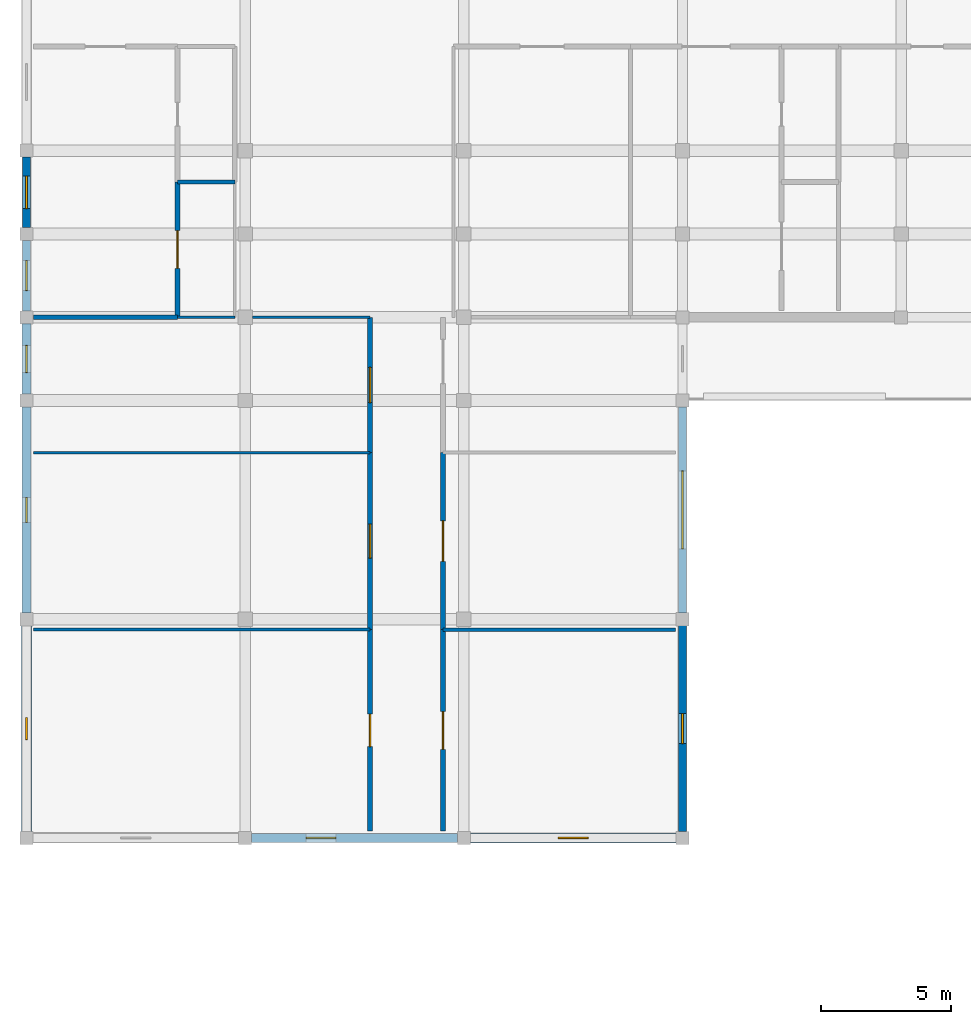
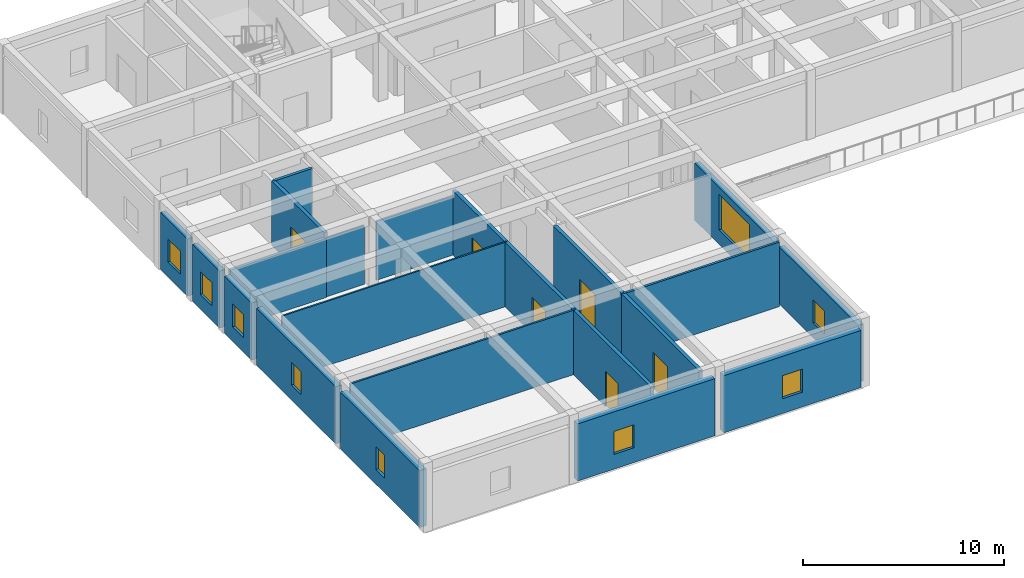
# One storey, part 8 of 28: 22 walls, 9 windows, 6 doors, 15 openings.
"""IFC4 building model written with IfcOpenShell, lengths in metres."""

from ifc_helpers import new_model, si_unit, direction, frame, frame_2d, origin, place, context, subcontext, project, spatial, rectangle, extrude, material, layer, layer_set, type_object, element, fill, save


model = new_model("IFC4")

# Units and contexts
model_context = context("Model", 3, precision=1e-05, world=origin(), true_north=direction((0.0, 1.0)))
body_context = subcontext(model_context, "Body", "Model", "MODEL_VIEW")
ifc_project = project(units=[si_unit("LENGTHUNIT", "METRE"), si_unit("AREAUNIT", "SQUARE_METRE"), si_unit("VOLUMEUNIT", "CUBIC_METRE"), si_unit("PLANEANGLEUNIT", "RADIAN"), si_unit("MASSUNIT", "GRAM", prefix="KILO")], contexts=[model_context])

# Site, building, storey
site_placement = place(None, origin())
site = spatial("IfcSite", under=ifc_project, at=site_placement, CompositionType="ELEMENT")
building_placement = place(site_placement, origin())
building = spatial("IfcBuilding", under=site, at=building_placement, Name="Varncliffe General Hospital", CompositionType="ELEMENT")
storey_placement = place(building_placement, frame((0.0, 0.0, 24.60009765625)))
storey = spatial("IfcBuildingStorey", under=building, at=storey_placement, Name="L05", CompositionType="ELEMENT", Elevation=24.60009765625)

# Wall, opening, window
ifc_material_1 = material(Name="Precast concrete C40/50 with insulated cream lime-cement stucco", Category="concrete")
ifc_layer_1 = layer(ifc_material_1, 0.31005859375)
ifc_layer_set_1 = layer_set([ifc_layer_1], Name="Precast concrete C40/50 with insulated cream lime-cement stucco")
wall_type_1 = type_object("IfcWallType", Name="Exterior Insulated Stucco Wall EW20 (310mm)", PredefinedType="SOLIDWALL", material=ifc_layer_set_1)
wall_1_placement = place(storey_placement, frame((25.199951171875, 99.35205078125, 0.0), z_axis=(0.0, 0.0, 1.0), x_axis=(0.0, -1.0, 0.0)))
wall_1 = element("IfcWall", 1, at=wall_1_placement, inside=storey, type_object=wall_type_1, Name="L05 Exterior Stucco Wall EW20-408", PredefinedType="SOLIDWALL", context=body_context, shape_type="SweptSolid", body=[
    extrude(rectangle(XDim=7.904052734375, YDim=0.31005859375, at=frame_2d((3.9521484375, 0.0))), origin(), (0.0, 0.0, 1.0), 3.47998046875),
])
opening_1_placement = place(wall_1_placement, frame((2.451904296875, 0.0, 0.89990234375)))
opening_1 = element("IfcOpeningElement", 2, at=opening_1_placement, cuts=wall_1, Name="Opening WN37", PredefinedType="OPENING", context=body_context, shape_type="SweptSolid", body=[
    extrude(rectangle(XDim=3.0, YDim=2.14990234375, at=frame_2d((1.5, 1.074951171875))), frame((0.0, 0.1650390625, 0.0), z_axis=(0.0, -1.0, 0.0), x_axis=(1.0, 0.0, 0.0)), (0.0, 0.0, 1.0), 0.330078125),
])
ifc_material_2 = material(Name="Triple low-E argon insulated vision glazing", Category="glass")
window_type_1 = type_object("IfcWindowType", Name="Triple-Glazed Hospital Window WN37 (3000x2150)", PartitioningType="DOUBLE_PANEL_VERTICAL", PredefinedType="WINDOW", material=ifc_material_2)
window_1_placement = place(opening_1_placement, origin())
window_1 = element("IfcWindow", 3, at=window_1_placement, inside=storey, type_object=window_type_1, Name="L05 Hospital Window WN37-304", OverallHeight=2.14990234375, OverallWidth=3.0, PartitioningType="DOUBLE_PANEL_VERTICAL", PredefinedType="WINDOW", context=body_context, shape_type="SweptSolid", body=[
    extrude(rectangle(XDim=3.0, YDim=2.14990234375, at=frame_2d((1.5, 1.074951171875))), frame((0.0, 0.030029296875, 0.0), z_axis=(0.0, -1.0, 0.0), x_axis=(1.0, 0.0, 0.0)), (0.0, 0.0, 1.0), 0.06005859375),
])
fill(opening_1, window_1)

wall_2_placement = place(storey_placement, frame((0.0, 103.048095703125, 0.0), z_axis=(0.0, 0.0, 1.0), x_axis=(0.0, 1.0, 0.0)))
wall_2 = element("IfcWall", 4, at=wall_2_placement, inside=storey, type_object=wall_type_1, Name="L05 Exterior Stucco Wall EW20-416", PredefinedType="SOLIDWALL", context=body_context, shape_type="SweptSolid", body=[
    extrude(rectangle(XDim=2.703857421875, YDim=0.31005859375, at=frame_2d((1.35205078125, 0.0))), origin(), (0.0, 0.0, 1.0), 3.47998046875),
])
opening_2_placement = place(wall_2_placement, frame((0.777099609375, 0.0, 0.89990234375)))
opening_2 = element("IfcOpeningElement", 5, at=opening_2_placement, cuts=wall_2, Name="Opening WN62", PredefinedType="OPENING", context=body_context, shape_type="SweptSolid", body=[
    extrude(rectangle(XDim=1.14990234375, YDim=1.39990234375, at=frame_2d((0.574951171875, 0.699951171875))), frame((0.0, 0.1650390625, 0.0), z_axis=(0.0, -1.0, 0.0), x_axis=(1.0, 0.0, 0.0)), (0.0, 0.0, 1.0), 0.330078125),
])
window_type_2 = type_object("IfcWindowType", Name="Triple-Glazed Hospital Window WN62 (1150x1400)", PartitioningType="SINGLE_PANEL", PredefinedType="WINDOW", material=ifc_material_2)
window_2_placement = place(opening_2_placement, origin())
window_2 = element("IfcWindow", 6, at=window_2_placement, inside=storey, type_object=window_type_2, Name="L05 Hospital Window WN62-312", OverallHeight=1.39990234375, OverallWidth=1.14990234375, PartitioningType="SINGLE_PANEL", PredefinedType="WINDOW", context=body_context, shape_type="SweptSolid", body=[
    extrude(rectangle(XDim=1.14990234375, YDim=1.39990234375, at=frame_2d((0.574951171875, 0.699951171875))), frame((0.0, 0.030029296875, 0.0), z_axis=(0.0, -1.0, 0.0), x_axis=(1.0, 0.0, 0.0)), (0.0, 0.0, 1.0), 0.06005859375),
])
fill(opening_2, window_2)

ifc_layer_2 = layer(ifc_material_1, 0.3798828125)
ifc_layer_set_2 = layer_set([ifc_layer_2], Name="Precast concrete C40/50 with insulated cream lime-cement stucco")
wall_type_2 = type_object("IfcWallType", Name="Exterior Insulated Stucco Wall EW26 (380mm)", PredefinedType="SOLIDWALL", material=ifc_layer_set_2)
wall_3_placement = place(storey_placement, frame((24.951904296875, 82.800048828125, 0.0), z_axis=(0.0, 0.0, 1.0), x_axis=(-1.0, 0.0, 0.0)))
wall_3 = element("IfcWall", 7, at=wall_3_placement, inside=storey, type_object=wall_type_2, Name="L05 Exterior Stucco Wall EW26-410", PredefinedType="SOLIDWALL", context=body_context, shape_type="SweptSolid", body=[
    extrude(rectangle(XDim=7.90380859375, YDim=0.3798828125, at=frame_2d((3.951904296875, 0.0))), origin(), (0.0, 0.0, 1.0), 3.47998046875),
])
opening_3_placement = place(wall_3_placement, frame((3.376953125, 0.0, 0.89990234375)))
opening_3 = element("IfcOpeningElement", 8, at=opening_3_placement, cuts=wall_3, Name="Opening WN62", PredefinedType="OPENING", context=body_context, shape_type="SweptSolid", body=[
    extrude(rectangle(XDim=1.14990234375, YDim=1.39990234375, at=frame_2d((0.574951171875, 0.699951171875))), frame((0.0, 0.199951171875, 0.0), z_axis=(0.0, -1.0, 0.0), x_axis=(1.0, 0.0, 0.0)), (0.0, 0.0, 1.0), 0.39990234375),
])
window_3_placement = place(opening_3_placement, origin())
window_3 = element("IfcWindow", 9, at=window_3_placement, inside=storey, type_object=window_type_2, Name="L05 Hospital Window WN62-306", OverallHeight=1.39990234375, OverallWidth=1.14990234375, PartitioningType="SINGLE_PANEL", PredefinedType="WINDOW", context=body_context, shape_type="SweptSolid", body=[
    extrude(rectangle(XDim=1.14990234375, YDim=1.39990234375, at=frame_2d((0.574951171875, 0.699951171875))), frame((0.0, 0.030029296875, 0.0), z_axis=(0.0, -1.0, 0.0), x_axis=(1.0, 0.0, 0.0)), (0.0, 0.0, 1.0), 0.06005859375),
])
fill(opening_3, window_3)

wall_4_placement = place(storey_placement, frame((0.0, 83.048095703125, 0.0), z_axis=(0.0, 0.0, 1.0), x_axis=(0.0, 1.0, 0.0)))
wall_4 = element("IfcWall", 10, at=wall_4_placement, inside=storey, type_object=wall_type_2, Name="L05 Exterior Stucco Wall EW26-413", PredefinedType="SOLIDWALL", context=body_context, shape_type="SweptSolid", body=[
    extrude(rectangle(XDim=7.90380859375, YDim=0.3798828125, at=frame_2d((3.951904296875, 0.0))), origin(), (0.0, 0.0, 1.0), 3.47998046875),
])
opening_4_placement = place(wall_4_placement, frame((3.527099609375, 0.0, 0.89990234375)))
opening_4 = element("IfcOpeningElement", 11, at=opening_4_placement, cuts=wall_4, Name="Opening WN77", PredefinedType="OPENING", context=body_context, shape_type="SweptSolid", body=[
    extrude(rectangle(XDim=0.85009765625, YDim=1.39990234375, at=frame_2d((0.425048828125, 0.699951171875))), frame((0.0, 0.199951171875, 0.0), z_axis=(0.0, -1.0, 0.0), x_axis=(1.0, 0.0, 0.0)), (0.0, 0.0, 1.0), 0.39990234375),
])
window_type_3 = type_object("IfcWindowType", Name="Triple-Glazed Hospital Window WN77 (850x1400)", PartitioningType="SINGLE_PANEL", PredefinedType="WINDOW", material=ifc_material_2)
window_4_placement = place(opening_4_placement, origin())
window_4 = element("IfcWindow", 12, at=window_4_placement, inside=storey, type_object=window_type_3, Name="L05 Hospital Window WN77-309", OverallHeight=1.39990234375, OverallWidth=0.85009765625, PartitioningType="SINGLE_PANEL", PredefinedType="WINDOW", context=body_context, shape_type="SweptSolid", body=[
    extrude(rectangle(XDim=0.85009765625, YDim=1.39990234375, at=frame_2d((0.425048828125, 0.699951171875))), frame((0.0, 0.030029296875, 0.0), z_axis=(0.0, -1.0, 0.0), x_axis=(1.0, 0.0, 0.0)), (0.0, 0.0, 1.0), 0.06005859375),
])
fill(opening_4, window_4)

ifc_layer_3 = layer(ifc_material_1, 0.2900390625)
ifc_layer_set_3 = layer_set([ifc_layer_3], Name="Precast concrete C40/50 with insulated cream lime-cement stucco")
wall_type_3 = type_object("IfcWallType", Name="Exterior Insulated Stucco Wall EW31 (290mm)", PredefinedType="SOLIDWALL", material=ifc_layer_set_3)
wall_5_placement = place(storey_placement, frame((25.199951171875, 90.951904296875, 0.0), z_axis=(0.0, 0.0, 1.0), x_axis=(0.0, -1.0, 0.0)))
wall_5 = element("IfcWall", 13, at=wall_5_placement, inside=storey, type_object=wall_type_3, Name="L05 Exterior Stucco Wall EW31-409", PredefinedType="SOLIDWALL", context=body_context, shape_type="SweptSolid", body=[
    extrude(rectangle(XDim=7.90380859375, YDim=0.2900390625, at=frame_2d((3.951904296875, 0.0))), origin(), (0.0, 0.0, 1.0), 3.47998046875),
])
opening_5_placement = place(wall_5_placement, frame((3.376953125, 0.0, 0.89990234375)))
opening_5 = element("IfcOpeningElement", 14, at=opening_5_placement, cuts=wall_5, Name="Opening WN62", PredefinedType="OPENING", context=body_context, shape_type="SweptSolid", body=[
    extrude(rectangle(XDim=1.14990234375, YDim=1.39990234375, at=frame_2d((0.574951171875, 0.699951171875))), frame((0.0, 0.155029296875, 0.0), z_axis=(0.0, -1.0, 0.0), x_axis=(1.0, 0.0, 0.0)), (0.0, 0.0, 1.0), 0.31005859375),
])
window_5_placement = place(opening_5_placement, origin())
window_5 = element("IfcWindow", 15, at=window_5_placement, inside=storey, type_object=window_type_2, Name="L05 Hospital Window WN62-305", OverallHeight=1.39990234375, OverallWidth=1.14990234375, PartitioningType="SINGLE_PANEL", PredefinedType="WINDOW", context=body_context, shape_type="SweptSolid", body=[
    extrude(rectangle(XDim=1.14990234375, YDim=1.39990234375, at=frame_2d((0.574951171875, 0.699951171875))), frame((0.0, 0.030029296875, 0.0), z_axis=(0.0, -1.0, 0.0), x_axis=(1.0, 0.0, 0.0)), (0.0, 0.0, 1.0), 0.06005859375),
])
fill(opening_5, window_5)

wall_6_placement = place(storey_placement, frame((0.0, 106.248046875, 0.0), z_axis=(0.0, 0.0, 1.0), x_axis=(0.0, 1.0, 0.0)))
wall_6 = element("IfcWall", 16, at=wall_6_placement, inside=storey, type_object=wall_type_3, Name="L05 Exterior Stucco Wall EW31-417", PredefinedType="SOLIDWALL", context=body_context, shape_type="SweptSolid", body=[
    extrude(rectangle(XDim=2.703857421875, YDim=0.2900390625, at=frame_2d((1.35205078125, 0.0))), origin(), (0.0, 0.0, 1.0), 3.47998046875),
])
opening_6_placement = place(wall_6_placement, frame((0.72705078125, 0.0, 0.89990234375)))
opening_6 = element("IfcOpeningElement", 17, at=opening_6_placement, cuts=wall_6, Name="Opening WN43", PredefinedType="OPENING", context=body_context, shape_type="SweptSolid", body=[
    extrude(rectangle(XDim=1.25, YDim=1.39990234375, at=frame_2d((0.625, 0.699951171875))), frame((0.0, 0.155029296875, 0.0), z_axis=(0.0, -1.0, 0.0), x_axis=(1.0, 0.0, 0.0)), (0.0, 0.0, 1.0), 0.31005859375),
])
window_type_4 = type_object("IfcWindowType", Name="Triple-Glazed Hospital Window WN43 (1250x1400)", PartitioningType="SINGLE_PANEL", PredefinedType="WINDOW", material=ifc_material_2)
window_6_placement = place(opening_6_placement, origin())
window_6 = element("IfcWindow", 18, at=window_6_placement, inside=storey, type_object=window_type_4, Name="L05 Hospital Window WN43-313", OverallHeight=1.39990234375, OverallWidth=1.25, PartitioningType="SINGLE_PANEL", PredefinedType="WINDOW", context=body_context, shape_type="SweptSolid", body=[
    extrude(rectangle(XDim=1.25, YDim=1.39990234375, at=frame_2d((0.625, 0.699951171875))), frame((0.0, 0.030029296875, 0.0), z_axis=(0.0, -1.0, 0.0), x_axis=(1.0, 0.0, 0.0)), (0.0, 0.0, 1.0), 0.06005859375),
])
fill(opening_6, window_6)

ifc_layer_4 = layer(ifc_material_1, 0.330078125)
ifc_layer_set_4 = layer_set([ifc_layer_4], Name="Precast concrete C40/50 with insulated cream lime-cement stucco")
wall_type_4 = type_object("IfcWallType", Name="Exterior Insulated Stucco Wall EW33 (330mm)", PredefinedType="SOLIDWALL", material=ifc_layer_set_4)
wall_7_placement = place(storey_placement, frame((0.0, 99.847900390625, 0.0), z_axis=(0.0, 0.0, 1.0), x_axis=(0.0, 1.0, 0.0)))
wall_7 = element("IfcWall", 19, at=wall_7_placement, inside=storey, type_object=wall_type_4, Name="L05 Exterior Stucco Wall EW33-415", PredefinedType="SOLIDWALL", context=body_context, shape_type="SweptSolid", body=[
    extrude(rectangle(XDim=2.7041015625, YDim=0.330078125, at=frame_2d((1.35205078125, 0.0))), origin(), (0.0, 0.0, 1.0), 3.47998046875),
])
opening_7_placement = place(wall_7_placement, frame((0.826904296875, 0.0, 0.89990234375)))
opening_7 = element("IfcOpeningElement", 20, at=opening_7_placement, cuts=wall_7, Name="Opening WN68", PredefinedType="OPENING", context=body_context, shape_type="SweptSolid", body=[
    extrude(rectangle(XDim=1.050048828125, YDim=1.39990234375, at=frame_2d((0.52490234375, 0.699951171875))), frame((0.0, 0.175048828125, 0.0), z_axis=(0.0, -1.0, 0.0), x_axis=(1.0, 0.0, 0.0)), (0.0, 0.0, 1.0), 0.35009765625),
])
window_type_5 = type_object("IfcWindowType", Name="Triple-Glazed Hospital Window WN68 (1050x1400)", PartitioningType="SINGLE_PANEL", PredefinedType="WINDOW", material=ifc_material_2)
window_7_placement = place(opening_7_placement, origin())
window_7 = element("IfcWindow", 21, at=window_7_placement, inside=storey, type_object=window_type_5, Name="L05 Hospital Window WN68-311", OverallHeight=1.39990234375, OverallWidth=1.050048828125, PartitioningType="SINGLE_PANEL", PredefinedType="WINDOW", context=body_context, shape_type="SweptSolid", body=[
    extrude(rectangle(XDim=1.050048828125, YDim=1.39990234375, at=frame_2d((0.52490234375, 0.699951171875))), frame((0.0, 0.030029296875, 0.0), z_axis=(0.0, -1.0, 0.0), x_axis=(1.0, 0.0, 0.0)), (0.0, 0.0, 1.0), 0.06005859375),
])
fill(opening_7, window_7)

ifc_layer_5 = layer(ifc_material_1, 0.35009765625)
ifc_layer_set_5 = layer_set([ifc_layer_5], Name="Precast concrete C40/50 with insulated cream lime-cement stucco")
wall_type_5 = type_object("IfcWallType", Name="Exterior Insulated Stucco Wall EW37 (350mm)", PredefinedType="SOLIDWALL", material=ifc_layer_set_5)
wall_8_placement = place(storey_placement, frame((16.552001953125, 82.800048828125, 0.0), z_axis=(0.0, 0.0, 1.0), x_axis=(-1.0, 0.0, 0.0)))
wall_8 = element("IfcWall", 22, at=wall_8_placement, inside=storey, type_object=wall_type_5, Name="L05 Exterior Stucco Wall EW37-411", PredefinedType="SOLIDWALL", context=body_context, shape_type="SweptSolid", body=[
    extrude(rectangle(XDim=7.904052734375, YDim=0.35009765625, at=frame_2d((3.9521484375, 0.0))), origin(), (0.0, 0.0, 1.0), 3.47998046875),
])
opening_8_placement = place(wall_8_placement, frame((4.664794921875, 0.0, 0.89990234375)))
opening_8 = element("IfcOpeningElement", 23, at=opening_8_placement, cuts=wall_8, Name="Opening WN62", PredefinedType="OPENING", context=body_context, shape_type="SweptSolid", body=[
    extrude(rectangle(XDim=1.14990234375, YDim=1.39990234375, at=frame_2d((0.574951171875, 0.699951171875))), frame((0.0, 0.18505859375, 0.0), z_axis=(0.0, -1.0, 0.0), x_axis=(1.0, 0.0, 0.0)), (0.0, 0.0, 1.0), 0.3701171875),
])
window_8_placement = place(opening_8_placement, origin())
window_8 = element("IfcWindow", 24, at=window_8_placement, inside=storey, type_object=window_type_2, Name="L05 Hospital Window WN62-307", OverallHeight=1.39990234375, OverallWidth=1.14990234375, PartitioningType="SINGLE_PANEL", PredefinedType="WINDOW", context=body_context, shape_type="SweptSolid", body=[
    extrude(rectangle(XDim=1.14990234375, YDim=1.39990234375, at=frame_2d((0.574951171875, 0.699951171875))), frame((0.0, 0.030029296875, 0.0), z_axis=(0.0, -1.0, 0.0), x_axis=(1.0, 0.0, 0.0)), (0.0, 0.0, 1.0), 0.06005859375),
])
fill(opening_8, window_8)

wall_9_placement = place(storey_placement, frame((0.0, 91.447998046875, 0.0), z_axis=(0.0, 0.0, 1.0), x_axis=(0.0, 1.0, 0.0)))
wall_9 = element("IfcWall", 25, at=wall_9_placement, inside=storey, type_object=wall_type_5, Name="L05 Exterior Stucco Wall EW37-414", PredefinedType="SOLIDWALL", context=body_context, shape_type="SweptSolid", body=[
    extrude(rectangle(XDim=7.904052734375, YDim=0.35009765625, at=frame_2d((3.9521484375, 0.0))), origin(), (0.0, 0.0, 1.0), 3.47998046875),
])
opening_9_placement = place(wall_9_placement, frame((3.47705078125, 0.0, 0.89990234375)))
opening_9 = element("IfcOpeningElement", 26, at=opening_9_placement, cuts=wall_9, Name="Opening WN39", PredefinedType="OPENING", context=body_context, shape_type="SweptSolid", body=[
    extrude(rectangle(XDim=0.949951171875, YDim=1.39990234375, at=frame_2d((0.47509765625, 0.699951171875))), frame((0.0, 0.18505859375, 0.0), z_axis=(0.0, -1.0, 0.0), x_axis=(1.0, 0.0, 0.0)), (0.0, 0.0, 1.0), 0.3701171875),
])
window_type_6 = type_object("IfcWindowType", Name="Triple-Glazed Hospital Window WN39 (950x1400)", PartitioningType="SINGLE_PANEL", PredefinedType="WINDOW", material=ifc_material_2)
window_9_placement = place(opening_9_placement, origin())
window_9 = element("IfcWindow", 27, at=window_9_placement, inside=storey, type_object=window_type_6, Name="L05 Hospital Window WN39-310", OverallHeight=1.39990234375, OverallWidth=0.949951171875, PartitioningType="SINGLE_PANEL", PredefinedType="WINDOW", context=body_context, shape_type="SweptSolid", body=[
    extrude(rectangle(XDim=0.949951171875, YDim=1.39990234375, at=frame_2d((0.47509765625, 0.699951171875))), frame((0.0, 0.030029296875, 0.0), z_axis=(0.0, -1.0, 0.0), x_axis=(1.0, 0.0, 0.0)), (0.0, 0.0, 1.0), 0.06005859375),
])
fill(opening_9, window_9)

# Walls
ifc_material_3 = material(Name="Acoustic clinical gypsum stud partition assembly", Category="gypsum")
ifc_layer_6 = layer(ifc_material_3, 0.1298828125)
ifc_layer_set_6 = layer_set([ifc_layer_6], Name="Acoustic clinical gypsum stud partition assembly")
wall_type_6 = type_object("IfcWallType", Name="Interior Partitioning IW11 (130mm)", PredefinedType="PARTITIONING", material=ifc_layer_set_6)
wall_10_placement = place(storey_placement, frame((16.0, 90.800048828125, 0.0), z_axis=(0.0, 0.0, 1.0), x_axis=(1.0, 0.0, 0.0)))
element("IfcWall", 28, at=wall_10_placement, inside=storey, type_object=wall_type_6, Name="L05 Interior Partition Wall IW11-2023", PredefinedType="PARTITIONING", context=body_context, shape_type="SweptSolid", body=[
    extrude(rectangle(XDim=8.93994140625, YDim=0.1298828125, at=frame_2d((4.469970703125, 0.0))), origin(), (0.0, 0.0, 1.0), 3.919921875),
])
ifc_layer_7 = layer(ifc_material_3, 0.169921875)
ifc_layer_set_7 = layer_set([ifc_layer_7], Name="Acoustic clinical gypsum stud partition assembly")
wall_type_7 = type_object("IfcWallType", Name="Interior Partitioning IW20 (170mm)", PredefinedType="PARTITIONING", material=ifc_layer_set_7)
wall_11_placement = place(storey_placement, frame((0.264892578125, 102.800048828125, 0.0), z_axis=(0.0, 0.0, 1.0), x_axis=(1.0, 0.0, 0.0)))
element("IfcWall", 29, at=wall_11_placement, inside=storey, type_object=wall_type_7, Name="L05 Interior Partition Wall IW20-2030", PredefinedType="PARTITIONING", context=body_context, shape_type="SweptSolid", body=[
    extrude(rectangle(XDim=5.53515625, YDim=0.169921875, at=frame_2d((2.767578125, 0.0))), origin(), (0.0, 0.0, 1.0), 3.5849609375),
])
ifc_layer_8 = layer(ifc_material_3, 0.090087890625)
ifc_layer_set_8 = layer_set([ifc_layer_8], Name="Acoustic clinical gypsum stud partition assembly")
wall_type_8 = type_object("IfcWallType", Name="Interior Partitioning IW42 (90mm)", PredefinedType="PARTITIONING", material=ifc_layer_set_8)
wall_12_placement = place(storey_placement, frame((0.260009765625, 97.60009765625, 0.0), z_axis=(0.0, 0.0, 1.0), x_axis=(1.0, 0.0, 0.0)))
element("IfcWall", 30, at=wall_12_placement, inside=storey, type_object=wall_type_8, Name="L05 Interior Partition Wall IW42-2026", PredefinedType="PARTITIONING", context=body_context, shape_type="SweptSolid", body=[
    extrude(rectangle(XDim=12.93994140625, YDim=0.090087890625, at=frame_2d((6.469970703125, 0.0))), origin(), (0.0, 0.0, 1.0), 3.919921875),
])
wall_13_placement = place(storey_placement, frame((5.800048828125, 102.800048828125, 0.0), z_axis=(0.0, 0.0, 1.0), x_axis=(1.0, 0.0, 0.0)))
element("IfcWall", 31, at=wall_13_placement, inside=storey, type_object=wall_type_8, Name="L05 Interior Partition Wall IW42-2031", PredefinedType="PARTITIONING", context=body_context, shape_type="SweptSolid", body=[
    extrude(rectangle(XDim=2.199951171875, YDim=0.090087890625, at=frame_2d((1.10009765625, 0.0))), origin(), (0.0, 0.0, 1.0), 3.5849609375),
])
ifc_layer_9 = layer(ifc_material_3, 0.110107421875)
ifc_layer_set_9 = layer_set([ifc_layer_9], Name="Acoustic clinical gypsum stud partition assembly")
wall_type_9 = type_object("IfcWallType", Name="Interior Partitioning IW65 (110mm)", PredefinedType="PARTITIONING", material=ifc_layer_set_9)
wall_14_placement = place(storey_placement, frame((0.260009765625, 90.800048828125, 0.0), z_axis=(0.0, 0.0, 1.0), x_axis=(1.0, 0.0, 0.0)))
element("IfcWall", 32, at=wall_14_placement, inside=storey, type_object=wall_type_9, Name="L05 Interior Partition Wall IW65-2022", PredefinedType="PARTITIONING", context=body_context, shape_type="SweptSolid", body=[
    extrude(rectangle(XDim=12.93994140625, YDim=0.110107421875, at=frame_2d((6.469970703125, 0.0))), origin(), (0.0, 0.0, 1.0), 3.919921875),
])
wall_15_placement = place(storey_placement, frame((8.68994140625, 102.800048828125, 0.0), z_axis=(0.0, 0.0, 1.0), x_axis=(1.0, 0.0, 0.0)))
element("IfcWall", 33, at=wall_15_placement, inside=storey, type_object=wall_type_9, Name="L05 Interior Partition Wall IW65-2032", PredefinedType="PARTITIONING", context=body_context, shape_type="SweptSolid", body=[
    extrude(rectangle(XDim=4.510009765625, YDim=0.110107421875, at=frame_2d((2.2548828125, 0.0))), origin(), (0.0, 0.0, 1.0), 3.5849609375),
])

# Wall, opening, door
ifc_material_4 = material(Name="Fire-rated gypsum and mineral-wool partition assembly", Category="gypsum")
ifc_layer_10 = layer(ifc_material_4, 0.199951171875)
ifc_layer_set_10 = layer_set([ifc_layer_10], Name="Fire-rated gypsum and mineral-wool partition assembly")
wall_type_10 = type_object("IfcWallType", Name="Interior Partitioning PW63 (200mm)", PredefinedType="PARTITIONING", material=ifc_layer_set_10)
wall_16_placement = place(storey_placement, frame((5.800048828125, 102.800048828125, 0.0), z_axis=(0.0, 0.0, 1.0), x_axis=(0.0, 1.0, 0.0)))
wall_16 = element("IfcWall", 34, at=wall_16_placement, inside=storey, type_object=wall_type_10, Name="L05 Interior Partition Wall PW63-2098", PredefinedType="PARTITIONING", context=body_context, shape_type="SweptSolid", body=[
    extrude(rectangle(XDim=5.199951171875, YDim=0.199951171875, at=frame_2d((2.60009765625, 0.0))), origin(), (0.0, 0.0, 1.0), 3.919921875),
])
opening_10_placement = place(wall_16_placement, frame((1.875, 0.0, 0.0)))
opening_10 = element("IfcOpeningElement", 35, at=opening_10_placement, cuts=wall_16, Name="Opening DC66", PredefinedType="OPENING", context=body_context, shape_type="SweptSolid", body=[
    extrude(rectangle(XDim=1.449951171875, YDim=2.25, at=frame_2d((0.72509765625, 1.125))), frame((0.0, 0.10986328125, 0.0), z_axis=(0.0, -1.0, 0.0), x_axis=(1.0, 0.0, 0.0)), (0.0, 0.0, 1.0), 0.219970703125),
])
ifc_material_5 = material(Name="Fire-rated hospital steel-frame vision-panel door", Category="steel")
door_type_1 = type_object("IfcDoorType", Name="Interior Hospital Door DC66 (1450x2250)", OperationType="NOTDEFINED", PredefinedType="DOOR", material=ifc_material_5)
door_1_placement = place(opening_10_placement, frame((1.449951171875, 0.0, 0.0), z_axis=(0.0, 0.0, 1.0), x_axis=(-1.0, 0.0, 0.0)))
door_1 = element("IfcDoor", 36, at=door_1_placement, inside=storey, type_object=door_type_1, Name="L05 Patient Medication and Hygiene Bay 47 Door", OperationType="SINGLE_SWING_LEFT", OverallHeight=2.25, OverallWidth=1.449951171875, PredefinedType="DOOR", context=body_context, shape_type="SweptSolid", body=[
    extrude(rectangle(XDim=1.449951171875, YDim=2.25, at=frame_2d((0.72509765625, 1.125))), frame((0.0, 0.02490234375, 0.0), z_axis=(0.0, -1.0, 0.0), x_axis=(1.0, 0.0, 0.0)), (0.0, 0.0, 1.0), 0.050048828125),
])
fill(opening_10, door_1)

wall_17_placement = place(storey_placement, frame((13.199951171875, 83.06005859375, 0.0), z_axis=(0.0, 0.0, 1.0), x_axis=(0.0, 1.0, 0.0)))
wall_17 = element("IfcWall", 37, at=wall_17_placement, inside=storey, type_object=wall_type_10, Name="L05 Interior Partition Wall PW63-2106", PredefinedType="PARTITIONING", context=body_context, shape_type="SweptSolid", body=[
    extrude(rectangle(XDim=7.739990234375, YDim=0.199951171875, at=frame_2d((3.8701171875, 0.0))), origin(), (0.0, 0.0, 1.0), 3.919921875),
])
opening_11_placement = place(wall_17_placement, frame((3.2451171875, 0.0, 0.0)))
opening_11 = element("IfcOpeningElement", 38, at=opening_11_placement, cuts=wall_17, Name="Opening DC44", PredefinedType="OPENING", context=body_context, shape_type="SweptSolid", body=[
    extrude(rectangle(XDim=1.25, YDim=2.14990234375, at=frame_2d((0.625, 1.074951171875))), frame((0.0, 0.10986328125, 0.0), z_axis=(0.0, -1.0, 0.0), x_axis=(1.0, 0.0, 0.0)), (0.0, 0.0, 1.0), 0.219970703125),
])
door_type_2 = type_object("IfcDoorType", Name="Interior Hospital Door DC44 (1250x2150)", OperationType="NOTDEFINED", PredefinedType="DOOR", material=ifc_material_5)
door_2_placement = place(opening_11_placement, origin())
door_2 = element("IfcDoor", 39, at=door_2_placement, inside=storey, type_object=door_type_2, Name="L05 Maternity Birthing and Postpartum Suite 85 Door", OperationType="SINGLE_SWING_LEFT", OverallHeight=2.14990234375, OverallWidth=1.25, PredefinedType="DOOR", context=body_context, shape_type="SweptSolid", body=[
    extrude(rectangle(XDim=1.25, YDim=2.14990234375, at=frame_2d((0.625, 1.074951171875))), frame((0.0, 0.02490234375, 0.0), z_axis=(0.0, -1.0, 0.0), x_axis=(1.0, 0.0, 0.0)), (0.0, 0.0, 1.0), 0.050048828125),
])
fill(opening_11, door_2)

wall_18_placement = place(storey_placement, frame((13.199951171875, 90.800048828125, 0.0), z_axis=(0.0, 0.0, 1.0), x_axis=(0.0, 1.0, 0.0)))
wall_18 = element("IfcWall", 40, at=wall_18_placement, inside=storey, type_object=wall_type_10, Name="L05 Interior Partition Wall PW63-2107", PredefinedType="PARTITIONING", context=body_context, shape_type="SweptSolid", body=[
    extrude(rectangle(XDim=6.800048828125, YDim=0.199951171875, at=frame_2d((3.39990234375, 0.0))), origin(), (0.0, 0.0, 1.0), 3.919921875),
])
opening_12_placement = place(wall_18_placement, frame((2.75, 0.0, 0.0)))
opening_12 = element("IfcOpeningElement", 41, at=opening_12_placement, cuts=wall_18, Name="Opening DC88", PredefinedType="OPENING", context=body_context, shape_type="SweptSolid", body=[
    extrude(rectangle(XDim=1.300048828125, YDim=2.199951171875, at=frame_2d((0.64990234375, 1.10009765625))), frame((0.0, 0.10986328125, 0.0), z_axis=(0.0, -1.0, 0.0), x_axis=(1.0, 0.0, 0.0)), (0.0, 0.0, 1.0), 0.219970703125),
])
door_type_3 = type_object("IfcDoorType", Name="Interior Hospital Door DC88 (1300x2200)", OperationType="NOTDEFINED", PredefinedType="DOOR", material=ifc_material_5)
door_3_placement = place(opening_12_placement, origin())
door_3 = element("IfcDoor", 42, at=door_3_placement, inside=storey, type_object=door_type_3, Name="L05 Family Waiting Lounge and Terrace Vestibule 86 Door", OperationType="SINGLE_SWING_RIGHT", OverallHeight=2.199951171875, OverallWidth=1.300048828125, PredefinedType="DOOR", context=body_context, shape_type="SweptSolid", body=[
    extrude(rectangle(XDim=1.300048828125, YDim=2.199951171875, at=frame_2d((0.64990234375, 1.10009765625))), frame((0.0, 0.02490234375, 0.0), z_axis=(0.0, -1.0, 0.0), x_axis=(1.0, 0.0, 0.0)), (0.0, 0.0, 1.0), 0.050048828125),
])
fill(opening_12, door_3)

wall_19_placement = place(storey_placement, frame((13.199951171875, 97.60009765625, 0.0), z_axis=(0.0, 0.0, 1.0), x_axis=(0.0, 1.0, 0.0)))
wall_19 = element("IfcWall", 43, at=wall_19_placement, inside=storey, type_object=wall_type_10, Name="L05 Interior Partition Wall PW63-2108", PredefinedType="PARTITIONING", context=body_context, shape_type="SweptSolid", body=[
    extrude(rectangle(XDim=5.199951171875, YDim=0.199951171875, at=frame_2d((2.60009765625, 0.0))), origin(), (0.0, 0.0, 1.0), 3.919921875),
])
opening_13_placement = place(wall_19_placement, frame((1.925048828125, 0.0, 0.0)))
opening_13 = element("IfcOpeningElement", 44, at=opening_13_placement, cuts=wall_19, Name="Opening DC85", PredefinedType="OPENING", context=body_context, shape_type="SweptSolid", body=[
    extrude(rectangle(XDim=1.35009765625, YDim=2.199951171875, at=frame_2d((0.675048828125, 1.10009765625))), frame((0.0, 0.10986328125, 0.0), z_axis=(0.0, -1.0, 0.0), x_axis=(1.0, 0.0, 0.0)), (0.0, 0.0, 1.0), 0.219970703125),
])
door_type_4 = type_object("IfcDoorType", Name="Interior Hospital Door DC85 (1350x2200)", OperationType="NOTDEFINED", PredefinedType="DOOR", material=ifc_material_5)
door_4_placement = place(opening_13_placement, origin())
door_4 = element("IfcDoor", 45, at=door_4_placement, inside=storey, type_object=door_type_4, Name="L05 Maternity Birthing and Postpartum Suite 87 Door", OperationType="SINGLE_SWING_LEFT", OverallHeight=2.199951171875, OverallWidth=1.35009765625, PredefinedType="DOOR", context=body_context, shape_type="SweptSolid", body=[
    extrude(rectangle(XDim=1.35009765625, YDim=2.199951171875, at=frame_2d((0.675048828125, 1.10009765625))), frame((0.0, 0.02490234375, 0.0), z_axis=(0.0, -1.0, 0.0), x_axis=(1.0, 0.0, 0.0)), (0.0, 0.0, 1.0), 0.050048828125),
])
fill(opening_13, door_4)

wall_20_placement = place(storey_placement, frame((16.0, 83.06005859375, 0.0), z_axis=(0.0, 0.0, 1.0), x_axis=(0.0, 1.0, 0.0)))
wall_20 = element("IfcWall", 46, at=wall_20_placement, inside=storey, type_object=wall_type_10, Name="L05 Interior Partition Wall PW63-2109", PredefinedType="PARTITIONING", context=body_context, shape_type="SweptSolid", body=[
    extrude(rectangle(XDim=7.739990234375, YDim=0.199951171875, at=frame_2d((3.8701171875, 0.0))), origin(), (0.0, 0.0, 1.0), 3.919921875),
])
opening_14_placement = place(wall_20_placement, frame((3.14501953125, 0.0, 0.0)))
opening_14 = element("IfcOpeningElement", 47, at=opening_14_placement, cuts=wall_20, Name="Opening DC66", PredefinedType="OPENING", context=body_context, shape_type="SweptSolid", body=[
    extrude(rectangle(XDim=1.449951171875, YDim=2.25, at=frame_2d((0.72509765625, 1.125))), frame((0.0, 0.10986328125, 0.0), z_axis=(0.0, -1.0, 0.0), x_axis=(1.0, 0.0, 0.0)), (0.0, 0.0, 1.0), 0.219970703125),
])
door_5_placement = place(opening_14_placement, frame((1.449951171875, 0.0, 0.0), z_axis=(0.0, 0.0, 1.0), x_axis=(-1.0, 0.0, 0.0)))
door_5 = element("IfcDoor", 48, at=door_5_placement, inside=storey, type_object=door_type_1, Name="L05 Maternity Birthing and Postpartum Suite 88 Door", OperationType="SINGLE_SWING_RIGHT", OverallHeight=2.25, OverallWidth=1.449951171875, PredefinedType="DOOR", context=body_context, shape_type="SweptSolid", body=[
    extrude(rectangle(XDim=1.449951171875, YDim=2.25, at=frame_2d((0.72509765625, 1.125))), frame((0.0, 0.02490234375, 0.0), z_axis=(0.0, -1.0, 0.0), x_axis=(1.0, 0.0, 0.0)), (0.0, 0.0, 1.0), 0.050048828125),
])
fill(opening_14, door_5)

wall_21_placement = place(storey_placement, frame((16.0, 90.800048828125, 0.0), z_axis=(0.0, 0.0, 1.0), x_axis=(0.0, 1.0, 0.0)))
wall_21 = element("IfcWall", 49, at=wall_21_placement, inside=storey, type_object=wall_type_10, Name="L05 Interior Partition Wall PW63-2110", PredefinedType="PARTITIONING", context=body_context, shape_type="SweptSolid", body=[
    extrude(rectangle(XDim=6.800048828125, YDim=0.199951171875, at=frame_2d((3.39990234375, 0.0))), origin(), (0.0, 0.0, 1.0), 3.919921875),
])
opening_15_placement = place(wall_21_placement, frame((2.625, 0.0, 0.0)))
opening_15 = element("IfcOpeningElement", 50, at=opening_15_placement, cuts=wall_21, Name="Opening DC67", PredefinedType="OPENING", context=body_context, shape_type="SweptSolid", body=[
    extrude(rectangle(XDim=1.550048828125, YDim=2.25, at=frame_2d((0.77490234375, 1.125))), frame((0.0, 0.10986328125, 0.0), z_axis=(0.0, -1.0, 0.0), x_axis=(1.0, 0.0, 0.0)), (0.0, 0.0, 1.0), 0.219970703125),
])
door_type_5 = type_object("IfcDoorType", Name="Interior Hospital Door DC67 (1550x2250)", OperationType="NOTDEFINED", PredefinedType="DOOR", material=ifc_material_5)
door_6_placement = place(opening_15_placement, frame((1.550048828125, 0.0, 0.0), z_axis=(0.0, 0.0, 1.0), x_axis=(-1.0, 0.0, 0.0)))
door_6 = element("IfcDoor", 51, at=door_6_placement, inside=storey, type_object=door_type_5, Name="L05 Family Waiting Lounge and Terrace Vestibule 89 Door", OperationType="SINGLE_SWING_LEFT", OverallHeight=2.25, OverallWidth=1.550048828125, PredefinedType="DOOR", context=body_context, shape_type="SweptSolid", body=[
    extrude(rectangle(XDim=1.550048828125, YDim=2.25, at=frame_2d((0.77490234375, 1.125))), frame((0.0, 0.02490234375, 0.0), z_axis=(0.0, -1.0, 0.0), x_axis=(1.0, 0.0, 0.0)), (0.0, 0.0, 1.0), 0.050048828125),
])
fill(opening_15, door_6)

# Wall
ifc_material_6 = material(Name="Moisture-resistant plumbing chase wall assembly", Category="gypsum")
ifc_layer_11 = layer(ifc_material_6, 0.159912109375)
ifc_layer_set_11 = layer_set([ifc_layer_11], Name="Moisture-resistant plumbing chase wall assembly")
wall_type_11 = type_object("IfcWallType", Name="Interior Plumbingwall MW31 (160mm)", PredefinedType="PLUMBINGWALL", material=ifc_layer_set_11)
wall_22_placement = place(storey_placement, frame((5.800048828125, 108.0, 0.0), z_axis=(0.0, 0.0, 1.0), x_axis=(1.0, 0.0, 0.0)))
element("IfcWall", 52, at=wall_22_placement, inside=storey, type_object=wall_type_11, Name="L05 Interior Plumbing Wall MW31-2041", PredefinedType="PLUMBINGWALL", context=body_context, shape_type="SweptSolid", body=[
    extrude(rectangle(XDim=2.199951171875, YDim=0.159912109375, at=frame_2d((1.10009765625, 0.0))), origin(), (0.0, 0.0, 1.0), 3.919921875),
])

save(model, "model.ifc")
